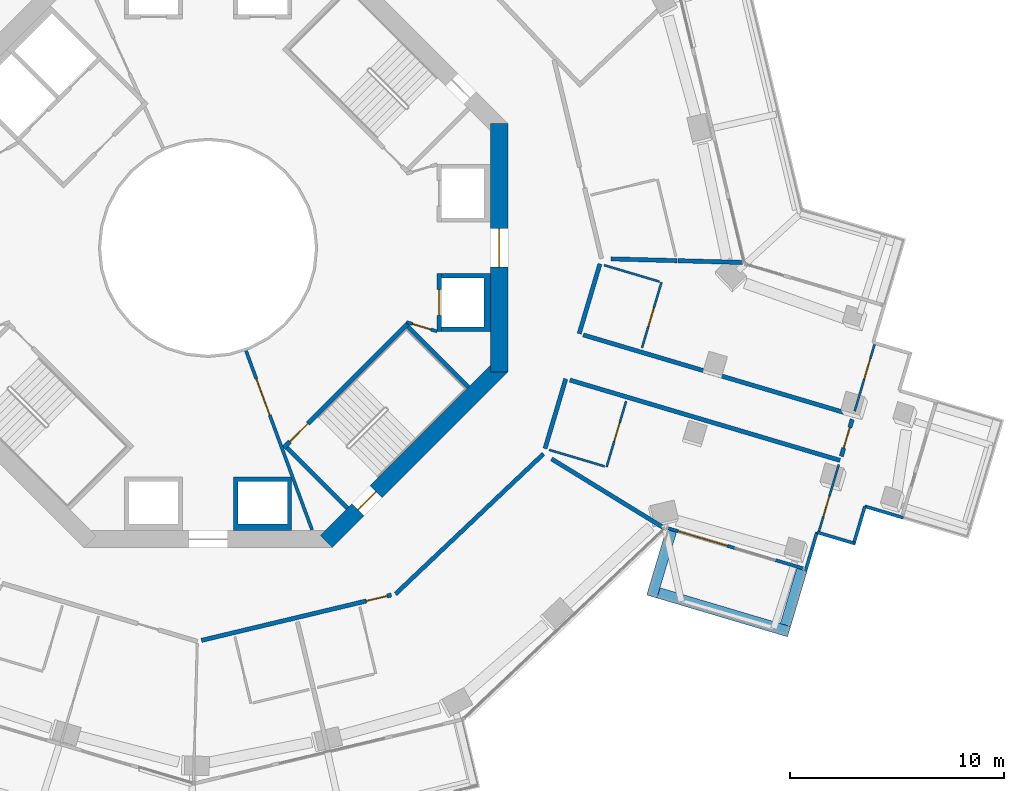
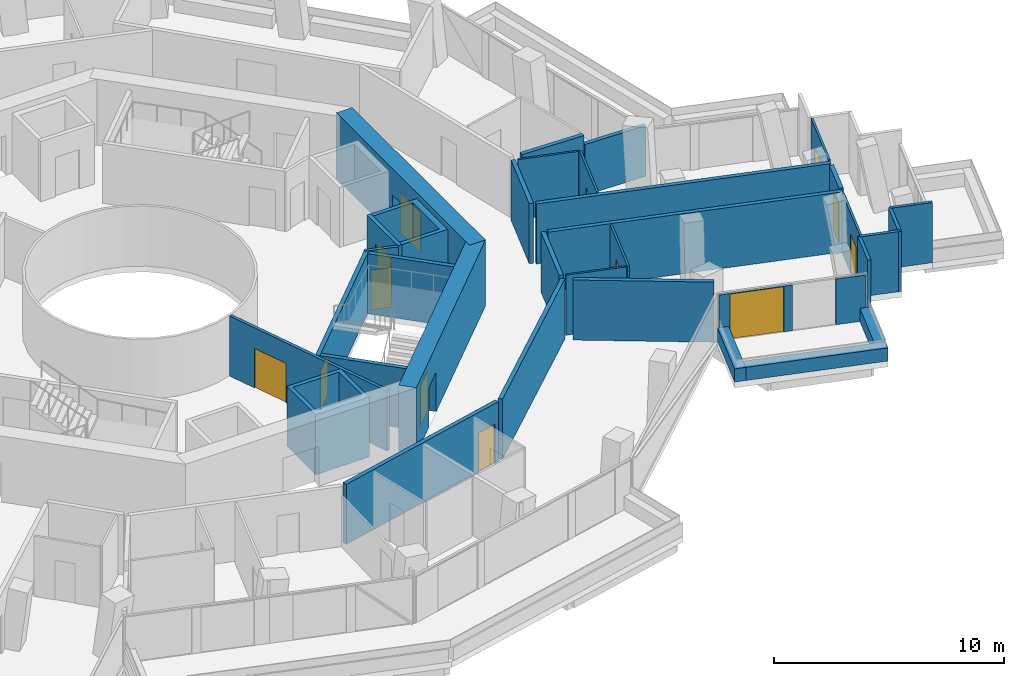
# One storey, part 20 of 27: 35 walls, 13 doors, 13 openings.
"""IFC4 building model written with IfcOpenShell, lengths in metres."""

import ifcopenshell
import ifcopenshell.guid

model = None  # the IFC model being written
_history = None  # IfcOwnerHistory: only IFC2X3 demands one
_inside = {}  # id of a spatial element -> (the spatial element, [elements in it])
_under = {}  # id of a project, library or spatial element -> (it, [spatial elements below it])
_declared = {}  # id of a project -> (the project, [libraries it declares])
_typed = {}  # id of a type object -> (the type object, [elements of that type])
_made_of = {}  # id of a material, layer set ... -> (it, [elements and type objects made of it])


def new_model(schema):
    """Start an empty IFC model of exactly this schema.

    Asked for "IFC4X3", IfcOpenShell would pick the latest addendum, in which some entities
    have other attributes; the version numbers below select the first issue.
    IFC2X3 requires an IfcOwnerHistory on every rooted entity: one is made here for all.
    """
    global model, _history
    if schema == "IFC4X3":
        model = ifcopenshell.file(schema_version=(4, 3, 0, 0))
    else:
        model = ifcopenshell.file(schema=schema)
    _inside.clear()
    _under.clear()
    _declared.clear()
    _typed.clear()
    _made_of.clear()
    _history = None
    if model.schema == "IFC2X3":
        org = make("IfcOrganization", Name="unknown")
        user = make(
            "IfcPersonAndOrganization",
            ThePerson=make("IfcPerson", FamilyName="unknown"),
            TheOrganization=org,
        )
        app = make(
            "IfcApplication",
            ApplicationDeveloper=org,
            Version="unknown",
            ApplicationFullName="unknown",
            ApplicationIdentifier="unknown",
        )
        _history = make(
            "IfcOwnerHistory",
            OwningUser=user,
            OwningApplication=app,
            ChangeAction="ADDED",
            CreationDate=0,
        )
    return model


def make(cls, **values):
    """One entity of the class cls with the attributes given. An attribute that is None is left unset."""
    return model.create_entity(
        cls, **{name: value for name, value in values.items() if value is not None}
    )


def rooted(cls, **values):
    """An entity with a GlobalId (a new one), such as an element, a storey or a relation."""
    return make(cls, GlobalId=ifcopenshell.guid.new(), OwnerHistory=_history, **values)


def si_unit(unit_type, name, prefix=None):
    """IfcSIUnit, for example si_unit("LENGTHUNIT", "METRE", prefix="MILLI")."""
    return make("IfcSIUnit", UnitType=unit_type, Prefix=prefix, Name=name)


def assignment(units):
    """IfcUnitAssignment: the units of a project."""
    return None if units is None else make("IfcUnitAssignment", Units=units)


def point(xyz):
    """IfcCartesianPoint."""
    return None if xyz is None else make("IfcCartesianPoint", Coordinates=xyz)


def direction(xyz):
    """IfcDirection."""
    return None if xyz is None else make("IfcDirection", DirectionRatios=xyz)


def frame(location, z_axis=None, x_axis=None):
    """IfcAxis2Placement3D, a coordinate frame: its origin and axes. An axis left out is left unset."""
    return make(
        "IfcAxis2Placement3D",
        Location=point(location),
        Axis=direction(z_axis),
        RefDirection=direction(x_axis),
    )


def frame_2d(location, x_axis=None):
    """IfcAxis2Placement2D, a coordinate frame in the plane: its origin and x axis."""
    return make(
        "IfcAxis2Placement2D", Location=point(location), RefDirection=direction(x_axis)
    )


def origin():
    """The frame at (0, 0, 0) with its axes left unset."""
    return frame((0.0, 0.0, 0.0))


def place(relative_to, where):
    """IfcLocalPlacement: puts the frame where relative to a parent placement (None: the world)."""
    return make(
        "IfcLocalPlacement", PlacementRelTo=relative_to, RelativePlacement=where
    )


def context(
    kind, dimensions, precision=None, world=None, true_north=None, identifier=None
):
    """IfcGeometricRepresentationContext, for example the 3D "Model" context."""
    return make(
        "IfcGeometricRepresentationContext",
        ContextIdentifier=identifier,
        ContextType=kind,
        CoordinateSpaceDimension=dimensions,
        Precision=precision,
        WorldCoordinateSystem=world,
        TrueNorth=true_north,
    )


def subcontext(parent, identifier, kind, view, scale=None):
    """IfcGeometricRepresentationSubContext, for example "Body" below "Model"."""
    return make(
        "IfcGeometricRepresentationSubContext",
        ContextIdentifier=identifier,
        ContextType=kind,
        ParentContext=parent,
        TargetScale=scale,
        TargetView=view,
    )


def project(units=None, contexts=None):
    """IfcProject with its units and contexts."""
    return rooted(
        "IfcProject",
        Name="project",
        RepresentationContexts=contexts,
        UnitsInContext=assignment(units),
    )


def spatial(cls, under=None, at=None, **own):
    """A site, building, storey or space (cls), placed at a placement, below another one or the project."""
    s = rooted(cls, ObjectPlacement=at, **own)
    if under is not None:
        _under.setdefault(under.id(), (under, []))[1].append(s)
    return s


def polyline(points):
    """IfcPolyline through the points."""
    return make("IfcPolyline", Points=[point(p) for p in points])


def profile(cls, at=None, kind="AREA", **sizes):
    """A parametric profile (cls). Its sizes go by their IFC names, for example OverallWidth=200.0."""
    return make(cls, ProfileType=kind, Position=at, **sizes)


def rectangle(**sizes):
    """IfcRectangleProfileDef."""
    return profile("IfcRectangleProfileDef", **sizes)


def outline(outer, holes=None, kind="AREA"):
    """IfcArbitraryClosedProfileDef: a profile drawn as a closed curve; with holes, ...WithVoids."""
    if holes is None:
        return make("IfcArbitraryClosedProfileDef", ProfileType=kind, OuterCurve=outer)
    return make(
        "IfcArbitraryProfileDefWithVoids",
        ProfileType=kind,
        OuterCurve=outer,
        InnerCurves=holes,
    )


def extrude(swept, where, along, depth):
    """IfcExtrudedAreaSolid: the profile swept, set in the frame where, extruded along a direction by depth."""
    return make(
        "IfcExtrudedAreaSolid",
        SweptArea=swept,
        Position=where,
        ExtrudedDirection=direction(along),
        Depth=depth,
    )


def shape(context_of_items, identifier, shape_type, items):
    """IfcShapeRepresentation: the items that make up one representation, for example the "Body"."""
    return make(
        "IfcShapeRepresentation",
        ContextOfItems=context_of_items,
        RepresentationIdentifier=identifier,
        RepresentationType=shape_type,
        Items=items,
    )


def material(Name=None, Category=None):
    """IfcMaterial."""
    return make("IfcMaterial", Name=Name, Category=Category)


def layer(
    of_material, thickness, ventilated=None, Name=None, Category=None, Priority=None
):
    """IfcMaterialLayer: one layer of a wall or slab, of a material (None: an air gap)."""
    return make(
        "IfcMaterialLayer",
        Material=of_material,
        LayerThickness=thickness,
        IsVentilated=ventilated,
        Name=Name,
        Category=Category,
        Priority=Priority,
    )


def layer_set(layers, Name=None):
    """IfcMaterialLayerSet."""
    return make("IfcMaterialLayerSet", MaterialLayers=layers, LayerSetName=Name)


def made_of(thing, what):
    """Note that an element or type object is made of a material, layer set ...; save() writes the relation."""
    if what is not None:
        _made_of.setdefault(what.id(), (what, []))[1].append(thing)
    return thing


def type_object(cls, material=None, **own):
    """A type object (cls), such as IfcWallType, which elements share."""
    return made_of(rooted(cls, **own), material)


def element(
    cls,
    number,
    at=None,
    inside=None,
    cuts=None,
    type_object=None,
    material=None,
    context=None,
    identifier="Body",
    shape_type=None,
    held_by="IfcProductDefinitionShape",
    body=None,
    shapes=None,
    **own,
):
    """One element of the class cls, such as IfcWall. Its Tag is "e" and its number.

    at: its placement. inside: the storey or other place that contains it. cuts: it is an
    opening in that element (IfcRelVoidsElement). A single representation is given by context,
    identifier, shape_type and body (its items); several are given by shapes. held_by: the class
    of the entity that holds the representations. save() writes the other relations.
    """
    e = rooted(cls, Tag="e%d" % number, ObjectPlacement=at, **own)
    if body is not None:
        shapes = [shape(context, identifier, shape_type, body)]
    if shapes is not None:
        e.Representation = make(held_by, Representations=shapes)
    if inside is not None:
        _inside.setdefault(inside.id(), (inside, []))[1].append(e)
    if cuts is not None:
        rooted(
            "IfcRelVoidsElement", RelatingBuildingElement=cuts, RelatedOpeningElement=e
        )
    if type_object is not None:
        _typed.setdefault(type_object.id(), (type_object, []))[1].append(e)
    return made_of(e, material)


def fill(opening, filler):
    """IfcRelFillsElement: the door or window that sits in an opening."""
    return rooted(
        "IfcRelFillsElement",
        RelatingOpeningElement=opening,
        RelatedBuildingElement=filler,
    )


def aggregate(whole, parts):
    """IfcRelAggregates: a whole, such as a stair, and the parts it consists of."""
    return rooted("IfcRelAggregates", RelatingObject=whole, RelatedObjects=parts)


def save(model, path):
    """Write the relations noted so far, then the file.

    IfcRelAggregates (storeys below a building ...), IfcRelContainedInSpatialStructure (elements
    in a storey), IfcRelDefinesByType, IfcRelAssociatesMaterial and IfcRelDeclares: one each for
    every whole, place, type object, material and project.
    """
    for whole, parts in _under.values():
        aggregate(whole, parts)
    for where, things in _inside.values():
        rooted(
            "IfcRelContainedInSpatialStructure",
            RelatedElements=things,
            RelatingStructure=where,
        )
    for kind, things in _typed.values():
        rooted("IfcRelDefinesByType", RelatedObjects=things, RelatingType=kind)
    for what, things in _made_of.values():
        rooted("IfcRelAssociatesMaterial", RelatedObjects=things, RelatingMaterial=what)
    for by, libraries in _declared.values():
        rooted("IfcRelDeclares", RelatingContext=by, RelatedDefinitions=libraries)
    model.write(path)


model = new_model("IFC4")

# Units and contexts
model_context = context("Model", 3, precision=1e-05, world=origin(), true_north=direction((0.0, 1.0)))
body_context = subcontext(model_context, "Body", "Model", "MODEL_VIEW")
ifc_project = project(units=[si_unit("LENGTHUNIT", "METRE"), si_unit("AREAUNIT", "SQUARE_METRE"), si_unit("VOLUMEUNIT", "CUBIC_METRE"), si_unit("PLANEANGLEUNIT", "RADIAN"), si_unit("MASSUNIT", "GRAM", prefix="KILO")], contexts=[model_context])

# Site, building, storey
site_placement = place(None, origin())
site = spatial("IfcSite", under=ifc_project, at=site_placement, CompositionType="ELEMENT")
building_placement = place(site_placement, origin())
building = spatial("IfcBuilding", under=site, at=building_placement, Name="Verdalira Terraces Hotel", CompositionType="ELEMENT")
storey_placement = place(building_placement, frame((0.0, 0.0, 89.5)))
storey = spatial("IfcBuildingStorey", under=building, at=storey_placement, Name="L20", CompositionType="ELEMENT", Elevation=89.5)

# Walls
ifc_material_1 = material(Name="Concrete C40", Category="concrete")
ifc_layer_1 = layer(ifc_material_1, 0.5)
ifc_layer_set_1 = layer_set([ifc_layer_1], Name="Balcony planter trough with tree")
wall_type_1 = type_object("IfcWallType", Name="Balcony planter trough with tree", PredefinedType="SOLIDWALL", material=ifc_layer_set_1)
wall_1_placement = place(storey_placement, frame((21.638916, -13.216797, 0.0), z_axis=(0.0, 0.0, 1.0), x_axis=(-0.285057447, -0.958510434, 0.0)))
element("IfcWall", 1, at=wall_1_placement, inside=storey, type_object=wall_type_1, Name="Balcony planter", PredefinedType="SOLIDWALL", context=body_context, shape_type="SweptSolid", body=[
    extrude(rectangle(XDim=3.198975, YDim=0.5, at=frame_2d((1.599609, 0.0))), origin(), (0.0, 0.0, 1.0), 0.699951),
])
wall_2_placement = place(storey_placement, frame((21.038086, -16.114746, 0.0), z_axis=(0.0, 0.0, 1.0), x_axis=(0.958524461, -0.285010275, 0.0)))
element("IfcWall", 2, at=wall_2_placement, inside=storey, type_object=wall_type_1, Name="Balcony planter", PredefinedType="SOLIDWALL", context=body_context, shape_type="SweptSolid", body=[
    extrude(rectangle(XDim=6.364502, YDim=0.5, at=frame_2d((3.182129, 0.0))), origin(), (0.0, 0.0, 1.0), 0.699951),
])
wall_3_placement = place(storey_placement, frame((26.970459, -17.61792, 0.0), z_axis=(0.0, 0.0, 1.0), x_axis=(0.28501519, 0.958523, 0.0)))
element("IfcWall", 3, at=wall_3_placement, inside=storey, type_object=wall_type_1, Name="Balcony planter", PredefinedType="SOLIDWALL", context=body_context, shape_type="SweptSolid", body=[
    extrude(rectangle(XDim=2.699219, YDim=0.5, at=frame_2d((1.349609, 0.0))), origin(), (0.0, 0.0, 1.0), 0.699951),
])
ifc_material_2 = material(Name="Moisture-resistant gypsum board partition")
ifc_layer_2 = layer(ifc_material_2, 0.10009765625)
ifc_layer_set_2 = layer_set([ifc_layer_2], Name="Bathroom partition 100 mm")
wall_type_2 = type_object("IfcWallType", Name="Bathroom partition 100 mm", PredefinedType="PARTITIONING", material=ifc_layer_set_2)
wall_4_placement = place(storey_placement, frame((15.930908, -9.431885, 0.0), z_axis=(0.0, 0.0, 1.0), x_axis=(0.958520333, -0.285024159, 0.0)))
element("IfcWall", 4, at=wall_4_placement, inside=storey, type_object=wall_type_2, Name="Bathroom partition", PredefinedType="PARTITIONING", context=body_context, shape_type="SweptSolid", body=[
    extrude(rectangle(XDim=2.699951, YDim=0.100098, at=frame_2d((1.350098, 0.0))), origin(), (0.0, 0.0, 1.0), 3.189941),
])

# Wall, opening, door
wall_5_placement = place(storey_placement, frame((18.614746, -10.22998, 0.0), z_axis=(0.0, 0.0, 1.0), x_axis=(0.285023313, 0.958520585, 0.0)))
wall_5 = element("IfcWall", 5, at=wall_5_placement, inside=storey, type_object=wall_type_2, Name="Bathroom partition", PredefinedType="PARTITIONING", context=body_context, shape_type="SweptSolid", body=[
    extrude(rectangle(XDim=3.200195, YDim=0.100098, at=frame_2d((1.600098, 0.0))), origin(), (0.0, 0.0, 1.0), 3.189941),
])
opening_1_placement = place(wall_5_placement, frame((1.25, 0.0, 0.0)))
opening_1 = element("IfcOpeningElement", 6, at=opening_1_placement, cuts=wall_5, Name="Opening L20-131", PredefinedType="OPENING", context=body_context, shape_type="SweptSolid", body=[
    extrude(rectangle(XDim=0.899902, YDim=2.100098, at=frame_2d((0.449951, 1.050049))), frame((0.0, 0.060059, 0.0), z_axis=(0.0, -1.0, 0.0), x_axis=(1.0, 0.0, 0.0)), (0.0, 0.0, 1.0), 0.120117),
])
ifc_material_3 = material(Name="Timber door", Category="wood")
door_type_1 = type_object("IfcDoorType", Name="Bathroom door 900 x 2100", OperationType="NOTDEFINED", PredefinedType="DOOR", material=ifc_material_3)
door_1_placement = place(opening_1_placement, origin())
door_1 = element("IfcDoor", 7, at=door_1_placement, inside=storey, type_object=door_type_1, Name="Bathroom door 2010", OperationType="SINGLE_SWING_LEFT", OverallHeight=2.10009765625, OverallWidth=0.89990234375, PredefinedType="DOOR", context=body_context, shape_type="SweptSolid", body=[
    extrude(rectangle(XDim=0.899902, YDim=2.100098, at=frame_2d((0.449951, 1.050049))), frame((0.0, 0.024902, 0.0), z_axis=(0.0, -1.0, 0.0), x_axis=(1.0, 0.0, 0.0)), (0.0, 0.0, 1.0), 0.050049),
])
fill(opening_1, door_1)

# Wall
wall_6_placement = place(storey_placement, frame((21.083984, -1.574707, 0.0), z_axis=(0.0, 0.0, 1.0), x_axis=(-0.958520333, 0.285024159, 0.0)))
element("IfcWall", 8, at=wall_6_placement, inside=storey, type_object=wall_type_2, Name="Bathroom partition", PredefinedType="PARTITIONING", context=body_context, shape_type="SweptSolid", body=[
    extrude(rectangle(XDim=2.699951, YDim=0.100098, at=frame_2d((1.350098, 0.0))), origin(), (0.0, 0.0, 1.0), 3.189941),
])

# Wall, opening, door
wall_7_placement = place(storey_placement, frame((20.267822, -4.67041, 0.0), z_axis=(0.0, 0.0, 1.0), x_axis=(0.285044157, 0.958514386, 0.0)))
wall_7 = element("IfcWall", 9, at=wall_7_placement, inside=storey, type_object=wall_type_2, Name="Bathroom partition", PredefinedType="PARTITIONING", context=body_context, shape_type="SweptSolid", body=[
    extrude(rectangle(XDim=3.199951, YDim=0.100098, at=frame_2d((1.600098, 0.0))), origin(), (0.0, 0.0, 1.0), 3.189941),
])
opening_2_placement = place(wall_7_placement, frame((1.050049, 0.0, 0.0)))
opening_2 = element("IfcOpeningElement", 10, at=opening_2_placement, cuts=wall_7, Name="Opening L20-132", PredefinedType="OPENING", context=body_context, shape_type="SweptSolid", body=[
    extrude(rectangle(XDim=0.899902, YDim=2.100098, at=frame_2d((0.449951, 1.050049))), frame((0.0, 0.060059, 0.0), z_axis=(0.0, -1.0, 0.0), x_axis=(1.0, 0.0, 0.0)), (0.0, 0.0, 1.0), 0.120117),
])
door_2_placement = place(opening_2_placement, origin())
door_2 = element("IfcDoor", 11, at=door_2_placement, inside=storey, type_object=door_type_1, Name="Bathroom door 2010", OperationType="SINGLE_SWING_RIGHT", OverallHeight=2.10009765625, OverallWidth=0.89990234375, PredefinedType="DOOR", context=body_context, shape_type="SweptSolid", body=[
    extrude(rectangle(XDim=0.899902, YDim=2.100098, at=frame_2d((0.449951, 1.050049))), frame((0.0, 0.024902, 0.0), z_axis=(0.0, -1.0, 0.0), x_axis=(1.0, 0.0, 0.0)), (0.0, 0.0, 1.0), 0.050049),
])
fill(opening_2, door_2)

wall_8_placement = place(storey_placement, frame((28.534912, -13.233887, 0.0), z_axis=(0.0, 0.0, 1.0), x_axis=(0.284977725, 0.958534139, 0.0)))
wall_8 = element("IfcWall", 12, at=wall_8_placement, inside=storey, type_object=wall_type_2, Name="Bathroom partition", PredefinedType="PARTITIONING", context=body_context, shape_type="SweptSolid", body=[
    extrude(rectangle(XDim=3.251953, YDim=0.100098, at=frame_2d((1.625977, 0.0))), origin(), (0.0, 0.0, 1.0), 3.189941),
])
opening_3_placement = place(wall_8_placement, frame((0.699951, 0.0, 0.0)))
opening_3 = element("IfcOpeningElement", 13, at=opening_3_placement, cuts=wall_8, Name="Opening L20-129", PredefinedType="OPENING", context=body_context, shape_type="SweptSolid", body=[
    extrude(rectangle(XDim=1.0, YDim=2.100098, at=frame_2d((0.5, 1.050049))), frame((0.0, 0.060059, 0.0), z_axis=(0.0, -1.0, 0.0), x_axis=(1.0, 0.0, 0.0)), (0.0, 0.0, 1.0), 0.120117),
])
ifc_material_4 = material(Name="Timber door", Category="wood")
door_type_2 = type_object("IfcDoorType", Name="Suite internal door 1000 x 2100", OperationType="NOTDEFINED", PredefinedType="DOOR", material=ifc_material_4)
door_3_placement = place(opening_3_placement, origin())
door_3 = element("IfcDoor", 14, at=door_3_placement, inside=storey, type_object=door_type_2, Name="Suite internal door 2010", OperationType="SINGLE_SWING_LEFT", OverallHeight=2.10009765625, OverallWidth=1.0, PredefinedType="DOOR", context=body_context, shape_type="SweptSolid", body=[
    extrude(rectangle(XDim=1.0, YDim=2.100098, at=frame_2d((0.5, 1.050049))), frame((0.0, 0.024902, 0.0), z_axis=(0.0, -1.0, 0.0), x_axis=(1.0, 0.0, 0.0)), (0.0, 0.0, 1.0), 0.050049),
])
fill(opening_3, door_3)

wall_9_placement = place(storey_placement, frame((30.202637, -7.624512, 0.0), z_axis=(0.0, 0.0, 1.0), x_axis=(0.285067212, 0.95850753, 0.0)))
wall_9 = element("IfcWall", 15, at=wall_9_placement, inside=storey, type_object=wall_type_2, Name="Bathroom partition", PredefinedType="PARTITIONING", context=body_context, shape_type="SweptSolid", body=[
    extrude(rectangle(XDim=3.251953, YDim=0.100098, at=frame_2d((1.625977, 0.0))), origin(), (0.0, 0.0, 1.0), 3.189941),
])
opening_4_placement = place(wall_9_placement, frame((1.550049, 0.0, 0.0)))
opening_4 = element("IfcOpeningElement", 16, at=opening_4_placement, cuts=wall_9, Name="Opening L20-130", PredefinedType="OPENING", context=body_context, shape_type="SweptSolid", body=[
    extrude(rectangle(XDim=1.0, YDim=2.100098, at=frame_2d((0.5, 1.050049))), frame((0.0, 0.060059, 0.0), z_axis=(0.0, -1.0, 0.0), x_axis=(1.0, 0.0, 0.0)), (0.0, 0.0, 1.0), 0.120117),
])
door_4_placement = place(opening_4_placement, origin())
door_4 = element("IfcDoor", 17, at=door_4_placement, inside=storey, type_object=door_type_2, Name="Suite internal door 2010", OperationType="SINGLE_SWING_LEFT", OverallHeight=2.10009765625, OverallWidth=1.0, PredefinedType="DOOR", context=body_context, shape_type="SweptSolid", body=[
    extrude(rectangle(XDim=1.0, YDim=2.100098, at=frame_2d((0.5, 1.050049))), frame((0.0, 0.024902, 0.0), z_axis=(0.0, -1.0, 0.0), x_axis=(1.0, 0.0, 0.0)), (0.0, 0.0, 1.0), 0.050049),
])
fill(opening_4, door_4)

# Wall
ifc_material_5 = material(Name="Concrete C50", Category="concrete")
ifc_layer_3 = layer(ifc_material_5, 0.199951171875)
ifc_layer_set_3 = layer_set([ifc_layer_3], Name="Core RC wall 200 C50")
wall_type_3 = type_object("IfcWallType", Name="Core RC wall 200 C50", PredefinedType="SOLIDWALL", material=ifc_layer_set_3)
wall_10_placement = place(storey_placement, origin())
element("IfcWall", 18, at=wall_10_placement, inside=storey, type_object=wall_type_3, Name="L20 shaft wall E1", PredefinedType="SOLIDWALL", context=body_context, shape_type="SweptSolid", body=[
    extrude(outline(polyline([(13.199951, -3.899902), (10.899902, -3.899902), (10.899902, -3.699951), (12.899902, -3.699951), (12.899902, -1.399902), (10.899902, -1.399902), (10.899902, -1.199951), (13.199951, -1.199951), (13.199951, -3.899902)])), origin(), (0.0, 0.0, 1.0), 3.189941),
])

# Wall, opening, door
wall_11_placement = place(storey_placement, frame((10.800049, -1.199951, 0.0), z_axis=(0.0, 0.0, 1.0), x_axis=(0.0, -1.0, 0.0)))
wall_11 = element("IfcWall", 19, at=wall_11_placement, inside=storey, type_object=wall_type_3, Name="L20 shaft front wall E1", PredefinedType="SOLIDWALL", context=body_context, shape_type="SweptSolid", body=[
    extrude(rectangle(XDim=2.699951, YDim=0.199951, at=frame_2d((1.350098, 0.0))), origin(), (0.0, 0.0, 1.0), 3.189941),
])
opening_5_placement = place(wall_11_placement, frame((0.75, 0.0, 0.0)))
opening_5 = element("IfcOpeningElement", 20, at=opening_5_placement, cuts=wall_11, Name="Opening LD-L20-801", PredefinedType="OPENING", context=body_context, shape_type="SweptSolid", body=[
    extrude(rectangle(XDim=1.199951, YDim=2.100098, at=frame_2d((0.600098, 1.050049))), frame((0.0, 0.109863, 0.0), z_axis=(0.0, -1.0, 0.0), x_axis=(1.0, 0.0, 0.0)), (0.0, 0.0, 1.0), 0.219971),
])
ifc_material_6 = material(Name="Stainless steel", Category="steel")
door_type_3 = type_object("IfcDoorType", Name="Landing door 1200 x 2100", OperationType="NOTDEFINED", PredefinedType="DOOR", material=ifc_material_6)
door_5_placement = place(opening_5_placement, origin())
door_5 = element("IfcDoor", 21, at=door_5_placement, inside=storey, type_object=door_type_3, Name="Lift landing door LR1 L20", OperationType="DOUBLE_DOOR_SLIDING", OverallHeight=2.10009765625, OverallWidth=1.199951171875, PredefinedType="DOOR", context=body_context, shape_type="SweptSolid", body=[
    extrude(rectangle(XDim=1.199951, YDim=2.100098, at=frame_2d((0.600098, 1.050049))), frame((0.0, 0.024902, 0.0), z_axis=(0.0, -1.0, 0.0), x_axis=(1.0, 0.0, 0.0)), (0.0, 0.0, 1.0), 0.050049),
])
fill(opening_5, door_5)

# Wall
wall_12_placement = place(storey_placement, origin())
element("IfcWall", 22, at=wall_12_placement, inside=storey, type_object=wall_type_3, Name="L20 shaft wall S2", PredefinedType="SOLIDWALL", context=body_context, shape_type="SweptSolid", body=[
    extrude(outline(polyline([(3.899902, -10.699951), (3.899902, -13.199951), (1.199951, -13.199951), (1.199951, -10.699951), (3.899902, -10.699951)]), holes=[polyline([(1.399902, -12.899902), (3.699951, -12.899902), (3.699951, -10.899902), (1.399902, -10.899902), (1.399902, -12.899902)])]), origin(), (0.0, 0.0, 1.0), 3.189941),
])

# Wall, opening, door
wall_13_placement = place(storey_placement, frame((9.33374, -3.5354, 0.0), z_axis=(0.0, 0.0, 1.0), x_axis=(-0.707106781, -0.707106781, 0.0)))
wall_13 = element("IfcWall", 23, at=wall_13_placement, inside=storey, type_object=wall_type_3, Name="L20 stair ST3 front wall", PredefinedType="SOLIDWALL", context=body_context, shape_type="SweptSolid", body=[
    extrude(rectangle(XDim=8.200195, YDim=0.199951, at=frame_2d((4.100098, 0.0))), origin(), (0.0, 0.0, 1.0), 3.189941),
])
opening_6_placement = place(wall_13_placement, frame((6.600098, 0.0, 0.0)))
opening_6 = element("IfcOpeningElement", 24, at=opening_6_placement, cuts=wall_13, Name="Opening L20-811", PredefinedType="OPENING", context=body_context, shape_type="SweptSolid", body=[
    extrude(rectangle(XDim=1.199951, YDim=2.100098, at=frame_2d((0.600098, 1.050049))), frame((0.0, 0.109863, 0.0), z_axis=(0.0, -1.0, 0.0), x_axis=(1.0, 0.0, 0.0)), (0.0, 0.0, 1.0), 0.219971),
])
ifc_material_7 = material(Name="Steel fire door", Category="steel")
door_type_4 = type_object("IfcDoorType", Name="Stair door 1200 x 2100", OperationType="NOTDEFINED", PredefinedType="DOOR", material=ifc_material_7)
door_6_placement = place(opening_6_placement, origin())
door_6 = element("IfcDoor", 25, at=door_6_placement, inside=storey, type_object=door_type_4, Name="Stair door ST3 L20", OperationType="SINGLE_SWING_RIGHT", OverallHeight=2.10009765625, OverallWidth=1.199951171875, PredefinedType="DOOR", context=body_context, shape_type="SweptSolid", body=[
    extrude(rectangle(XDim=1.199951, YDim=2.100098, at=frame_2d((0.600098, 1.050049))), frame((0.0, 0.024902, 0.0), z_axis=(0.0, -1.0, 0.0), x_axis=(1.0, 0.0, 0.0)), (0.0, 0.0, 1.0), 0.050049),
])
fill(opening_6, door_6)

# Walls
for number, where, z_axis, x_axis, name in (
    (26, (3.677002, -9.33374, 0.0), (0.0, 0.0, 1.0), (0.707106781, -0.707106781, 0.0), "L20 stair ST3 end wall 1"),
    (27, (9.33374, -3.677002, 0.0), (0.0, 0.0, 1.0), (0.707106781, -0.707106781, 0.0), "L20 stair ST3 end wall 2"),
):
    element("IfcWall", number, at=place(storey_placement, frame(where, z_axis=z_axis, x_axis=x_axis)), inside=storey, type_object=wall_type_3, Name=name, PredefinedType="SOLIDWALL", context=body_context, shape_type="SweptSolid", body=[
        extrude(rectangle(XDim=4.0, YDim=0.199951, at=frame_2d((2.0, 0.0))), origin(), (0.0, 0.0, 1.0), 3.189941),
    ])

# Wall, opening, door
ifc_material_8 = material(Name="Gypsum board partition")
ifc_layer_4 = layer(ifc_material_8, 0.14990234375)
ifc_layer_set_4 = layer_set([ifc_layer_4], Name="Core partition 150 mm")
wall_type_4 = type_object("IfcWallType", Name="Core partition 150 mm", PredefinedType="PARTITIONING", material=ifc_layer_set_4)
wall_14_placement = place(storey_placement, frame((9.263184, -3.464844, 0.0), z_axis=(0.0, 0.0, 1.0), x_axis=(0.957084567, -0.289808785, 0.0)))
wall_14 = element("IfcWall", 28, at=wall_14_placement, inside=storey, type_object=wall_type_4, Name="Room partition L20", PredefinedType="PARTITIONING", context=body_context, shape_type="SweptSolid", body=[
    extrude(rectangle(XDim=1.501221, YDim=0.149902, at=frame_2d((0.750488, 0.0))), origin(), (0.0, 0.0, 1.0), 3.189941),
])
opening_7_placement = place(wall_14_placement, frame((0.300781, 0.0, 0.0)))
opening_7 = element("IfcOpeningElement", 29, at=opening_7_placement, cuts=wall_14, Name="Opening L20-823", PredefinedType="OPENING", context=body_context, shape_type="SweptSolid", body=[
    extrude(rectangle(XDim=0.899902, YDim=2.100098, at=frame_2d((0.449951, 1.050049))), frame((0.0, 0.084961, 0.0), z_axis=(0.0, -1.0, 0.0), x_axis=(1.0, 0.0, 0.0)), (0.0, 0.0, 1.0), 0.169922),
])
ifc_material_9 = material(Name="Steel fire door", Category="steel")
door_type_5 = type_object("IfcDoorType", Name="Core room door 900 x 2100", OperationType="NOTDEFINED", PredefinedType="DOOR", material=ifc_material_9)
door_7_placement = place(opening_7_placement, origin())
door_7 = element("IfcDoor", 30, at=door_7_placement, inside=storey, type_object=door_type_5, Name="Door L20 room7", OperationType="SINGLE_SWING_LEFT", OverallHeight=2.10009765625, OverallWidth=0.89990234375, PredefinedType="DOOR", context=body_context, shape_type="SweptSolid", body=[
    extrude(rectangle(XDim=0.899902, YDim=2.100098, at=frame_2d((0.449951, 1.050049))), frame((0.0, 0.024902, 0.0), z_axis=(0.0, -1.0, 0.0), x_axis=(1.0, 0.0, 0.0)), (0.0, 0.0, 1.0), 0.050049),
])
fill(opening_7, door_7)

wall_15_placement = place(storey_placement, frame((1.775635, -4.812988, 0.0), z_axis=(0.0, 0.0, 1.0), x_axis=(0.346115488, -0.938191915, 0.0)))
wall_15 = element("IfcWall", 31, at=wall_15_placement, inside=storey, type_object=wall_type_4, Name="Gallery fire partition L20", PredefinedType="PARTITIONING", context=body_context, shape_type="SweptSolid", body=[
    extrude(rectangle(XDim=8.909668, YDim=0.149902, at=frame_2d((4.454834, 0.0))), origin(), (0.0, 0.0, 1.0), 3.189941),
])
opening_8_placement = place(wall_15_placement, frame((1.399902, 0.0, 0.0)))
opening_8 = element("IfcOpeningElement", 32, at=opening_8_placement, cuts=wall_15, Name="Opening L20-825", PredefinedType="OPENING", context=body_context, shape_type="SweptSolid", body=[
    extrude(rectangle(XDim=1.800049, YDim=2.100098, at=frame_2d((0.899902, 1.050049))), frame((0.0, 0.084961, 0.0), z_axis=(0.0, -1.0, 0.0), x_axis=(1.0, 0.0, 0.0)), (0.0, 0.0, 1.0), 0.169922),
])
ifc_material_10 = material(Name="Steel fire door", Category="steel")
door_type_6 = type_object("IfcDoorType", Name="Gallery fire door pair 1800 x 2100", OperationType="NOTDEFINED", PredefinedType="DOOR", material=ifc_material_10)
door_8_placement = place(opening_8_placement, origin())
door_8 = element("IfcDoor", 33, at=door_8_placement, inside=storey, type_object=door_type_6, Name="Door L20 split6", OperationType="DOUBLE_DOOR_SINGLE_SWING", OverallHeight=2.10009765625, OverallWidth=1.800048828125, PredefinedType="DOOR", context=body_context, shape_type="SweptSolid", body=[
    extrude(rectangle(XDim=1.800049, YDim=2.100098, at=frame_2d((0.899902, 1.050049))), frame((0.0, 0.024902, 0.0), z_axis=(0.0, -1.0, 0.0), x_axis=(1.0, 0.0, 0.0)), (0.0, 0.0, 1.0), 0.050049),
])
fill(opening_8, door_8)

ifc_material_11 = material(Name="Concrete C70", Category="concrete")
ifc_layer_5 = layer(ifc_material_11, 0.800048828125)
ifc_layer_set_5 = layer_set([ifc_layer_5], Name="Core wall 800 C70")
wall_type_5 = type_object("IfcWallType", Name="Core wall 800 C70", PredefinedType="SHEAR", material=ifc_layer_set_5)
wall_16_placement = place(storey_placement, frame((13.600098, -5.799072, 0.0), z_axis=(0.0, 0.0, 1.0), x_axis=(0.0, 1.0, 0.0)))
wall_16 = element("IfcWall", 34, at=wall_16_placement, inside=storey, type_object=wall_type_5, Name="Core wall CW-L20-1", PredefinedType="SHEAR", context=body_context, shape_type="SweptSolid", body=[
    extrude(rectangle(XDim=11.598145, YDim=0.800049, at=frame_2d((5.799072, 0.0))), origin(), (0.0, 0.0, 1.0), 3.5),
])
opening_9_placement = place(wall_16_placement, frame((4.898926, 0.0, 0.0)))
opening_9 = element("IfcOpeningElement", 35, at=opening_9_placement, cuts=wall_16, Name="Opening L20-812", PredefinedType="OPENING", context=body_context, shape_type="SweptSolid", body=[
    extrude(rectangle(XDim=1.800049, YDim=2.100098, at=frame_2d((0.899902, 1.050049))), frame((0.0, 0.409912, 0.0), z_axis=(0.0, -1.0, 0.0), x_axis=(1.0, 0.0, 0.0)), (0.0, 0.0, 1.0), 0.820068),
])
ifc_material_12 = material(Name="Steel fire door", Category="steel")
door_type_7 = type_object("IfcDoorType", Name="Core entry door pair 1800 x 2100", OperationType="NOTDEFINED", PredefinedType="DOOR", material=ifc_material_12)
door_9_placement = place(opening_9_placement, origin())
door_9 = element("IfcDoor", 36, at=door_9_placement, inside=storey, type_object=door_type_7, Name="Core entry door L20 0", OperationType="DOUBLE_DOOR_SINGLE_SWING", OverallHeight=2.10009765625, OverallWidth=1.800048828125, PredefinedType="DOOR", context=body_context, shape_type="SweptSolid", body=[
    extrude(rectangle(XDim=1.800049, YDim=2.100098, at=frame_2d((0.899902, 1.050049))), frame((0.0, 0.024902, 0.0), z_axis=(0.0, -1.0, 0.0), x_axis=(1.0, 0.0, 0.0)), (0.0, 0.0, 1.0), 0.050049),
])
fill(opening_9, door_9)

wall_17_placement = place(storey_placement, frame((5.516113, -13.717285, 0.0), z_axis=(0.0, 0.0, 1.0), x_axis=(0.707106781, 0.707106781, 0.0)))
wall_17 = element("IfcWall", 37, at=wall_17_placement, inside=storey, type_object=wall_type_5, Name="Core wall CW-L20-8", PredefinedType="SHEAR", context=body_context, shape_type="SweptSolid", body=[
    extrude(rectangle(XDim=11.598145, YDim=0.800049, at=frame_2d((5.799072, 0.0))), origin(), (0.0, 0.0, 1.0), 3.5),
])
opening_10_placement = place(wall_17_placement, frame((2.099121, 0.0, 0.0)))
opening_10 = element("IfcOpeningElement", 38, at=opening_10_placement, cuts=wall_17, Name="Opening L20-818", PredefinedType="OPENING", context=body_context, shape_type="SweptSolid", body=[
    extrude(rectangle(XDim=1.199951, YDim=2.100098, at=frame_2d((0.600098, 1.050049))), frame((0.0, 0.409912, 0.0), z_axis=(0.0, -1.0, 0.0), x_axis=(1.0, 0.0, 0.0)), (0.0, 0.0, 1.0), 0.820068),
])
door_10_placement = place(opening_10_placement, origin())
door_10 = element("IfcDoor", 39, at=door_10_placement, inside=storey, type_object=door_type_4, Name="Stair exit door ST3 L20", OperationType="SINGLE_SWING_LEFT", OverallHeight=2.10009765625, OverallWidth=1.199951171875, PredefinedType="DOOR", context=body_context, shape_type="SweptSolid", body=[
    extrude(rectangle(XDim=1.199951, YDim=2.100098, at=frame_2d((0.600098, 1.050049))), frame((0.0, 0.024902, 0.0), z_axis=(0.0, -1.0, 0.0), x_axis=(1.0, 0.0, 0.0)), (0.0, 0.0, 1.0), 0.050049),
])
fill(opening_10, door_10)

# Walls
ifc_material_13 = material(Name="Fire-rated gypsum board wall")
ifc_layer_6 = layer(ifc_material_13, 0.199951171875)
ifc_layer_set_6 = layer_set([ifc_layer_6], Name="Demising wall 200 mm")
wall_type_6 = type_object("IfcWallType", Name="Demising wall 200 mm", PredefinedType="SOLIDWALL", material=ifc_layer_set_6)
wall_18_placement = place(storey_placement, frame((16.046631, -9.856445, 0.0), z_axis=(0.0, 0.0, 1.0), x_axis=(0.852092728, -0.523390851, 0.0)))
element("IfcWall", 40, at=wall_18_placement, inside=storey, type_object=wall_type_6, Name="Demising wall", PredefinedType="SOLIDWALL", context=body_context, shape_type="SweptSolid", body=[
    extrude(rectangle(XDim=6.13208, YDim=0.199951, at=frame_2d((3.065918, 0.0))), origin(), (0.0, 0.0, 1.0), 3.189941),
])
wall_19_placement = place(storey_placement, frame((18.824951, -0.512695, 0.0), z_axis=(0.0, 0.0, 1.0), x_axis=(0.999629093, -0.027233739, 0.0)))
element("IfcWall", 41, at=wall_19_placement, inside=storey, type_object=wall_type_6, Name="Demising wall", PredefinedType="SOLIDWALL", context=body_context, shape_type="SweptSolid", body=[
    extrude(rectangle(XDim=3.074951, YDim=0.199951, at=frame_2d((1.537598, 0.0))), origin(), (0.0, 0.0, 1.0), 3.189941),
])
ifc_material_14 = material(Name="Fire-rated gypsum board wall")
ifc_layer_7 = layer(ifc_material_14, 0.199951171875)
ifc_layer_set_7 = layer_set([ifc_layer_7], Name="Demising wall 200 mm to beam soffit")
wall_type_7 = type_object("IfcWallType", Name="Demising wall 200 mm to beam soffit", PredefinedType="SOLIDWALL", material=ifc_layer_set_7)
wall_20_placement = place(storey_placement, frame((21.94458, -0.597656, 0.0), z_axis=(0.0, 0.0, 1.0), x_axis=(0.999628909, -0.027240496, 0.0)))
element("IfcWall", 42, at=wall_20_placement, inside=storey, type_object=wall_type_7, Name="Demising wall", PredefinedType="SOLIDWALL", context=body_context, shape_type="SweptSolid", body=[
    extrude(rectangle(XDim=3.011475, YDim=0.199951, at=frame_2d((1.505859, 0.0))), origin(), (0.0, 0.0, 1.0), 2.689941),
])

# Wall, opening, door
ifc_material_15 = material(Name="Fire-rated gypsum board wall")
ifc_layer_8 = layer(ifc_material_15, 0.199951171875)
ifc_layer_set_8 = layer_set([ifc_layer_8], Name="Guest corridor wall 200 mm")
wall_type_8 = type_object("IfcWallType", Name="Guest corridor wall 200 mm", PredefinedType="SOLIDWALL", material=ifc_layer_set_8)
wall_21_placement = place(storey_placement, frame((8.560547, -16.212646, 0.0), z_axis=(0.0, 0.0, 1.0), x_axis=(-0.9726122, -0.232433882, 0.0)))
wall_21 = element("IfcWall", 43, at=wall_21_placement, inside=storey, type_object=wall_type_8, Name="Guest corridor wall", PredefinedType="SOLIDWALL", context=body_context, shape_type="SweptSolid", body=[
    extrude(rectangle(XDim=9.116211, YDim=0.199951, at=frame_2d((4.558105, 0.0))), origin(), (0.0, 0.0, 1.0), 3.189941),
])
opening_11_placement = place(wall_21_placement, frame((0.199951, 0.0, 0.0)))
opening_11 = element("IfcOpeningElement", 44, at=opening_11_placement, cuts=wall_21, Name="Opening L20-126", PredefinedType="OPENING", context=body_context, shape_type="SweptSolid", body=[
    extrude(rectangle(XDim=1.0, YDim=2.100098, at=frame_2d((0.5, 1.050049))), frame((0.0, 0.109863, 0.0), z_axis=(0.0, -1.0, 0.0), x_axis=(1.0, 0.0, 0.0)), (0.0, 0.0, 1.0), 0.219971),
])
ifc_material_16 = material(Name="Timber fire door", Category="wood")
door_type_8 = type_object("IfcDoorType", Name="Guest entry door 1000 x 2100", OperationType="NOTDEFINED", PredefinedType="DOOR", material=ifc_material_16)
door_11_placement = place(opening_11_placement, origin())
door_11 = element("IfcDoor", 45, at=door_11_placement, inside=storey, type_object=door_type_8, Name="Guest entry door 2009", OperationType="SINGLE_SWING_LEFT", OverallHeight=2.10009765625, OverallWidth=1.0, PredefinedType="DOOR", context=body_context, shape_type="SweptSolid", body=[
    extrude(rectangle(XDim=1.0, YDim=2.100098, at=frame_2d((0.5, 1.050049))), frame((0.0, 0.024902, 0.0), z_axis=(0.0, -1.0, 0.0), x_axis=(1.0, 0.0, 0.0)), (0.0, 0.0, 1.0), 0.050049),
])
fill(opening_11, door_11)

# Walls
wall_22_placement = place(storey_placement, frame((8.755859, -16.165771, 0.0), z_axis=(0.0, 0.0, 1.0), x_axis=(0.726098959, 0.687590213, 0.0)))
element("IfcWall", 46, at=wall_22_placement, inside=storey, type_object=wall_type_8, Name="Guest corridor wall", PredefinedType="SOLIDWALL", context=body_context, shape_type="SweptSolid", body=[
    extrude(rectangle(XDim=9.516113, YDim=0.199951, at=frame_2d((4.758057, 0.0))), origin(), (0.0, 0.0, 1.0), 3.189941),
])
for number, where, z_axis, x_axis, name in (
    (47, (15.739258, -9.374756, 0.0), (0.0, 0.0, 1.0), (0.284995231, 0.958528934, 0.0), "Guest corridor wall"),
    (48, (17.335205, -4.00708, 0.0), (0.0, 0.0, 1.0), (0.284995231, 0.958528934, 0.0), "Guest corridor wall"),
):
    element("IfcWall", number, at=place(storey_placement, frame(where, z_axis=z_axis, x_axis=x_axis)), inside=storey, type_object=wall_type_8, Name=name, PredefinedType="SOLIDWALL", context=body_context, shape_type="SweptSolid", body=[
        extrude(rectangle(XDim=3.400146, YDim=0.199951, at=frame_2d((1.700195, 0.0))), origin(), (0.0, 0.0, 1.0), 3.189941),
    ])
wall_23_placement = place(storey_placement, frame((16.899902, -6.172852, 0.0), z_axis=(0.0, 0.0, 1.0), x_axis=(0.958523212, -0.285014477, 0.0)))
element("IfcWall", 49, at=wall_23_placement, inside=storey, type_object=wall_type_8, Name="Guest corridor wall", PredefinedType="SOLIDWALL", context=body_context, shape_type="SweptSolid", body=[
    extrude(rectangle(XDim=13.165039, YDim=0.199951, at=frame_2d((6.58252, 0.0))), origin(), (0.0, 0.0, 1.0), 3.189941),
])
wall_24_placement = place(storey_placement, frame((30.145752, -7.816406, 0.0), z_axis=(0.0, 0.0, 1.0), x_axis=(-0.958521706, 0.285019543, 0.0)))
element("IfcWall", 50, at=wall_24_placement, inside=storey, type_object=wall_type_8, Name="Guest corridor wall", PredefinedType="SOLIDWALL", context=body_context, shape_type="SweptSolid", body=[
    extrude(rectangle(XDim=13.164795, YDim=0.199951, at=frame_2d((6.58252, 0.0))), origin(), (0.0, 0.0, 1.0), 3.189941),
])

# Wall, opening, door
wall_25_placement = place(storey_placement, frame((30.089355, -8.006104, 0.0), z_axis=(0.0, 0.0, 1.0), x_axis=(-0.285000512, -0.958527364, 0.0)))
wall_25 = element("IfcWall", 51, at=wall_25_placement, inside=storey, type_object=wall_type_8, Name="Guest corridor wall", PredefinedType="SOLIDWALL", context=body_context, shape_type="SweptSolid", body=[
    extrude(rectangle(XDim=1.803955, YDim=0.199951, at=frame_2d((0.901855, 0.0))), origin(), (0.0, 0.0, 1.0), 3.189941),
])
opening_12_placement = place(wall_25_placement, frame((0.399902, 0.0, 0.0)))
opening_12 = element("IfcOpeningElement", 52, at=opening_12_placement, cuts=wall_25, Name="Opening L20-128", PredefinedType="OPENING", context=body_context, shape_type="SweptSolid", body=[
    extrude(rectangle(XDim=1.0, YDim=2.100098, at=frame_2d((0.5, 1.050049))), frame((0.0, 0.109863, 0.0), z_axis=(0.0, -1.0, 0.0), x_axis=(1.0, 0.0, 0.0)), (0.0, 0.0, 1.0), 0.219971),
])
door_12_placement = place(opening_12_placement, origin())
door_12 = element("IfcDoor", 53, at=door_12_placement, inside=storey, type_object=door_type_8, Name="Guest entry door 2010", OperationType="SINGLE_SWING_LEFT", OverallHeight=2.10009765625, OverallWidth=1.0, PredefinedType="DOOR", context=body_context, shape_type="SweptSolid", body=[
    extrude(rectangle(XDim=1.0, YDim=2.100098, at=frame_2d((0.5, 1.050049))), frame((0.0, 0.024902, 0.0), z_axis=(0.0, -1.0, 0.0), x_axis=(1.0, 0.0, 0.0)), (0.0, 0.0, 1.0), 0.050049),
])
fill(opening_12, door_12)

# Walls
ifc_material_17 = material(Name="Terracotta cladding", Category="masonry")
ifc_layer_9 = layer(ifc_material_17, 0.14990234375)
ifc_layer_set_9 = layer_set([ifc_layer_9], Name="Terracotta clad wall 150")
wall_type_9 = type_object("IfcWallType", Name="Terracotta clad wall 150", PredefinedType="SOLIDWALL", material=ifc_layer_set_9)
wall_26_placement = place(storey_placement, frame((27.907715, -15.07959, 0.0), z_axis=(0.0, 0.0, 1.0), x_axis=(0.285041405, 0.958515205, 0.0)))
element("IfcWall", 54, at=wall_26_placement, inside=storey, type_object=wall_type_9, Name="Terracotta cladding wall", PredefinedType="SOLIDWALL", context=body_context, shape_type="SweptSolid", body=[
    extrude(rectangle(XDim=1.875, YDim=0.149902, at=frame_2d((0.9375, 0.0))), origin(), (0.0, 0.0, 1.0), 3.189941),
])
wall_27_placement = place(storey_placement, frame((28.442139, -13.282471, 0.0), z_axis=(0.0, 0.0, 1.0), x_axis=(0.958536356, -0.284970268, 0.0)))
element("IfcWall", 55, at=wall_27_placement, inside=storey, type_object=wall_type_9, Name="Terracotta cladding wall", PredefinedType="SOLIDWALL", context=body_context, shape_type="SweptSolid", body=[
    extrude(rectangle(XDim=1.800049, YDim=0.149902, at=frame_2d((0.899902, 0.0))), origin(), (0.0, 0.0, 1.0), 3.189941),
])
for number, where, z_axis, x_axis, name in (
    (56, (30.145996, -13.867432, 0.0), (0.0, 0.0, 1.0), (0.285005832, 0.958525782, 0.0), "Terracotta cladding wall"),
    (57, (30.68042, -12.070068, 0.0), (0.0, 0.0, 1.0), (0.958525782, -0.285005832, 0.0), "Terracotta cladding wall"),
):
    element("IfcWall", number, at=place(storey_placement, frame(where, z_axis=z_axis, x_axis=x_axis)), inside=storey, type_object=wall_type_9, Name=name, PredefinedType="SOLIDWALL", context=body_context, shape_type="SweptSolid", body=[
        extrude(rectangle(XDim=1.875244, YDim=0.149902, at=frame_2d((0.9375, 0.0))), origin(), (0.0, 0.0, 1.0), 3.189941),
    ])
ifc_material_18 = material(Name="Terracotta cladding", Category="masonry")
ifc_layer_10 = layer(ifc_material_18, 0.14990234375)
ifc_layer_set_10 = layer_set([ifc_layer_10], Name="Terracotta column pier 150")
wall_type_10 = type_object("IfcWallType", Name="Terracotta column pier 150", PredefinedType="SOLIDWALL", material=ifc_layer_set_10)
wall_28_placement = place(storey_placement, frame((26.497803, -14.582275, 0.0), z_axis=(0.0, 0.0, 1.0), x_axis=(0.9585163, -0.285037721, 0.0)))
element("IfcWall", 58, at=wall_28_placement, inside=storey, type_object=wall_type_10, Name="Terracotta column pier", PredefinedType="SOLIDWALL", context=body_context, shape_type="SweptSolid", body=[
    extrude(rectangle(XDim=1.348145, YDim=0.149902, at=frame_2d((0.674072, 0.0))), origin(), (0.0, 0.0, 1.0), 2.425049),
])

# Wall, opening, door
ifc_material_19 = material(Name="Terracotta cladding", Category="masonry")
ifc_layer_11 = layer(ifc_material_19, 0.14990234375)
ifc_layer_set_11 = layer_set([ifc_layer_11], Name="Terracotta door pier 150")
wall_type_11 = type_object("IfcWallType", Name="Terracotta door pier 150", PredefinedType="SOLIDWALL", material=ifc_layer_set_11)
wall_29_placement = place(storey_placement, frame((21.488037, -13.092529, 0.0), z_axis=(0.0, 0.0, 1.0), x_axis=(0.958523222, -0.285014445, 0.0)))
wall_29 = element("IfcWall", 59, at=wall_29_placement, inside=storey, type_object=wall_type_11, Name="Terracotta door pier", PredefinedType="SOLIDWALL", context=body_context, shape_type="SweptSolid", body=[
    extrude(rectangle(XDim=3.293701, YDim=0.149902, at=frame_2d((1.646973, 0.0))), origin(), (0.0, 0.0, 1.0), 2.425049),
])
opening_13_placement = place(wall_29_placement, frame((0.493652, 0.0, 0.0)))
opening_13 = element("IfcOpeningElement", 60, at=opening_13_placement, cuts=wall_29, Name="Opening L20-B12", PredefinedType="OPENING", context=body_context, shape_type="SweptSolid", body=[
    extrude(rectangle(XDim=2.399902, YDim=2.399902, at=frame_2d((1.199951, 1.199951))), frame((0.0, 0.084961, 0.0), z_axis=(0.0, -1.0, 0.0), x_axis=(1.0, 0.0, 0.0)), (0.0, 0.0, 1.0), 0.169922),
])
ifc_material_20 = material(Name="Clear glass", Category="glass")
door_type_9 = type_object("IfcDoorType", Name="Balcony sliding door 2400x2400", OperationType="NOTDEFINED", PredefinedType="DOOR", material=ifc_material_20)
door_13_placement = place(opening_13_placement, origin())
door_13 = element("IfcDoor", 61, at=door_13_placement, inside=storey, type_object=door_type_9, Name="Balcony sliding door", OperationType="SLIDING_TO_LEFT", OverallHeight=2.39990234375, OverallWidth=2.39990234375, PredefinedType="DOOR", context=body_context, shape_type="SweptSolid", body=[
    extrude(rectangle(XDim=2.399902, YDim=2.399902, at=frame_2d((1.199951, 1.199951))), frame((0.0, 0.024902, 0.0), z_axis=(0.0, -1.0, 0.0), x_axis=(1.0, 0.0, 0.0)), (0.0, 0.0, 1.0), 0.050049),
])
fill(opening_13, door_13)

save(model, "model.ifc")
